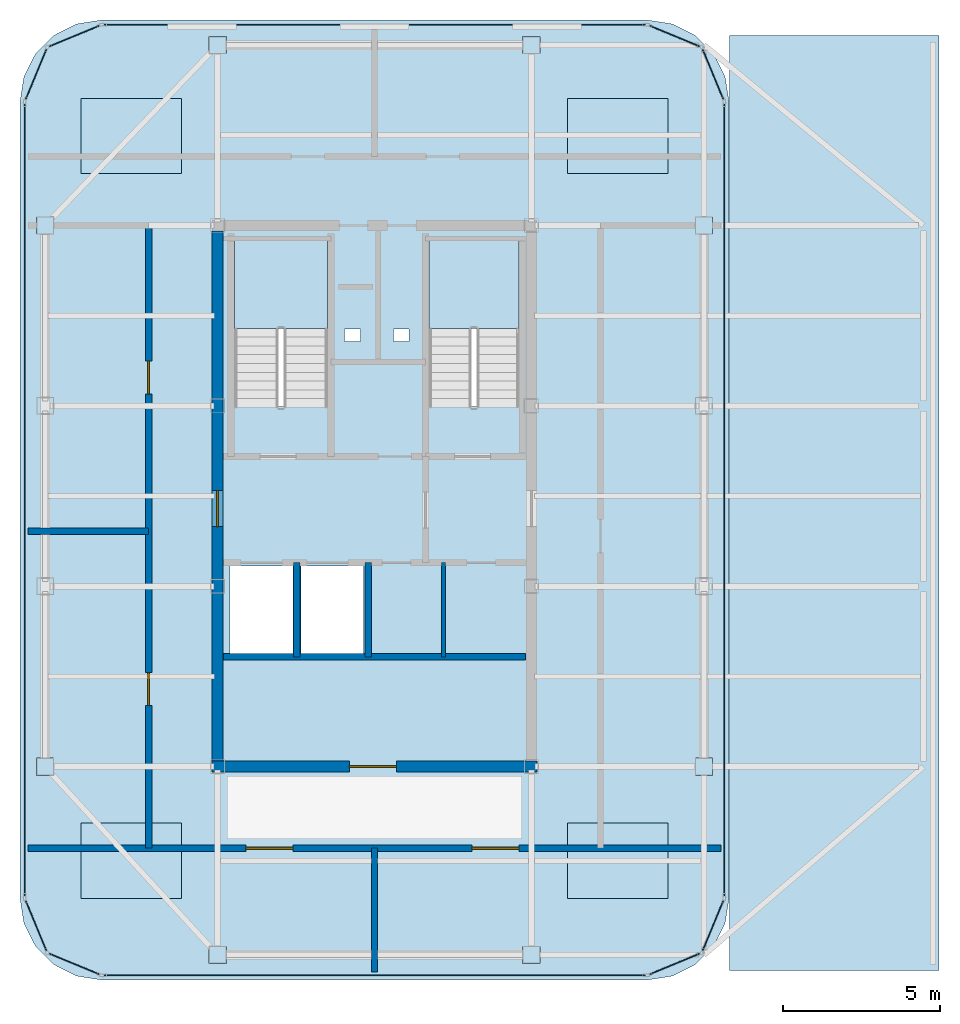
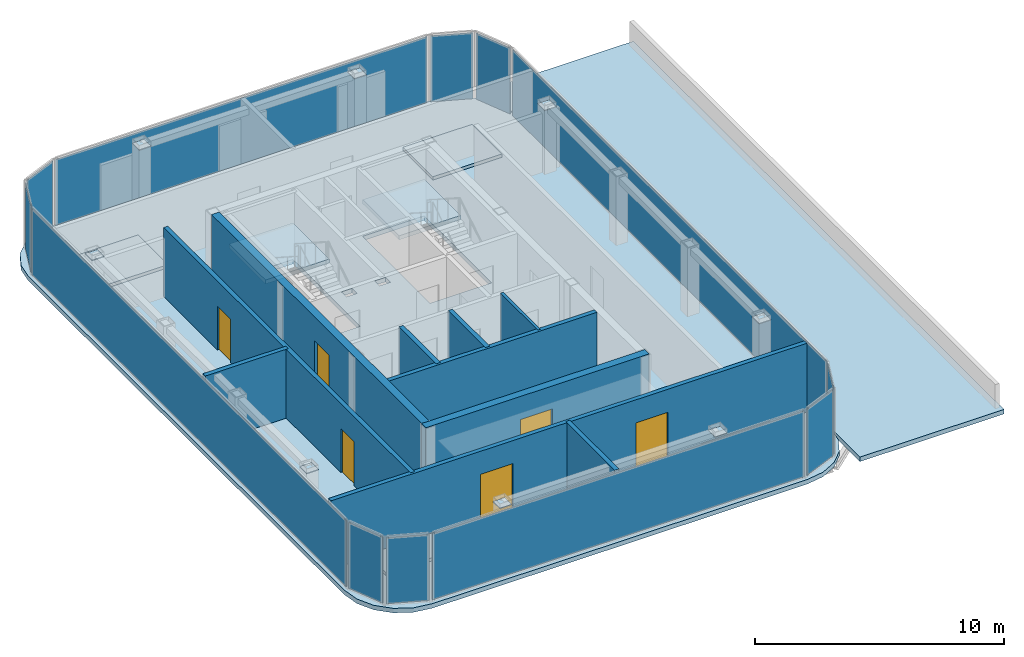
# One storey, part 9 of 11: 20 plates, 10 walls, 8 slabs, 6 doors, 6 openings, 14 elements without a shape of their own.
"""IFC4 building model written with IfcOpenShell, lengths in metres."""

import ifcopenshell
import ifcopenshell.guid

model = None  # the IFC model being written
_history = None  # IfcOwnerHistory: only IFC2X3 demands one
_inside = {}  # id of a spatial element -> (the spatial element, [elements in it])
_under = {}  # id of a project, library or spatial element -> (it, [spatial elements below it])
_declared = {}  # id of a project -> (the project, [libraries it declares])
_typed = {}  # id of a type object -> (the type object, [elements of that type])
_made_of = {}  # id of a material, layer set ... -> (it, [elements and type objects made of it])


def new_model(schema):
    """Start an empty IFC model of exactly this schema.

    Asked for "IFC4X3", IfcOpenShell would pick the latest addendum, in which some entities
    have other attributes; the version numbers below select the first issue.
    IFC2X3 requires an IfcOwnerHistory on every rooted entity: one is made here for all.
    """
    global model, _history
    if schema == "IFC4X3":
        model = ifcopenshell.file(schema_version=(4, 3, 0, 0))
    else:
        model = ifcopenshell.file(schema=schema)
    _inside.clear()
    _under.clear()
    _declared.clear()
    _typed.clear()
    _made_of.clear()
    _history = None
    if model.schema == "IFC2X3":
        org = make("IfcOrganization", Name="unknown")
        user = make(
            "IfcPersonAndOrganization",
            ThePerson=make("IfcPerson", FamilyName="unknown"),
            TheOrganization=org,
        )
        app = make(
            "IfcApplication",
            ApplicationDeveloper=org,
            Version="unknown",
            ApplicationFullName="unknown",
            ApplicationIdentifier="unknown",
        )
        _history = make(
            "IfcOwnerHistory",
            OwningUser=user,
            OwningApplication=app,
            ChangeAction="ADDED",
            CreationDate=0,
        )
    return model


def make(cls, **values):
    """One entity of the class cls with the attributes given. An attribute that is None is left unset."""
    return model.create_entity(
        cls, **{name: value for name, value in values.items() if value is not None}
    )


def rooted(cls, **values):
    """An entity with a GlobalId (a new one), such as an element, a storey or a relation."""
    return make(cls, GlobalId=ifcopenshell.guid.new(), OwnerHistory=_history, **values)


def si_unit(unit_type, name, prefix=None):
    """IfcSIUnit, for example si_unit("LENGTHUNIT", "METRE", prefix="MILLI")."""
    return make("IfcSIUnit", UnitType=unit_type, Prefix=prefix, Name=name)


def assignment(units):
    """IfcUnitAssignment: the units of a project."""
    return None if units is None else make("IfcUnitAssignment", Units=units)


def point(xyz):
    """IfcCartesianPoint."""
    return None if xyz is None else make("IfcCartesianPoint", Coordinates=xyz)


def direction(xyz):
    """IfcDirection."""
    return None if xyz is None else make("IfcDirection", DirectionRatios=xyz)


def frame(location, z_axis=None, x_axis=None):
    """IfcAxis2Placement3D, a coordinate frame: its origin and axes. An axis left out is left unset."""
    return make(
        "IfcAxis2Placement3D",
        Location=point(location),
        Axis=direction(z_axis),
        RefDirection=direction(x_axis),
    )


def frame_2d(location, x_axis=None):
    """IfcAxis2Placement2D, a coordinate frame in the plane: its origin and x axis."""
    return make(
        "IfcAxis2Placement2D", Location=point(location), RefDirection=direction(x_axis)
    )


def origin():
    """The frame at (0, 0, 0) with its axes left unset."""
    return frame((0.0, 0.0, 0.0))


def origin_2d():
    """The frame at (0, 0) in the plane with its x axis left unset."""
    return frame_2d((0.0, 0.0))


def place(relative_to, where):
    """IfcLocalPlacement: puts the frame where relative to a parent placement (None: the world)."""
    return make(
        "IfcLocalPlacement", PlacementRelTo=relative_to, RelativePlacement=where
    )


def context(
    kind, dimensions, precision=None, world=None, true_north=None, identifier=None
):
    """IfcGeometricRepresentationContext, for example the 3D "Model" context."""
    return make(
        "IfcGeometricRepresentationContext",
        ContextIdentifier=identifier,
        ContextType=kind,
        CoordinateSpaceDimension=dimensions,
        Precision=precision,
        WorldCoordinateSystem=world,
        TrueNorth=true_north,
    )


def subcontext(parent, identifier, kind, view, scale=None):
    """IfcGeometricRepresentationSubContext, for example "Body" below "Model"."""
    return make(
        "IfcGeometricRepresentationSubContext",
        ContextIdentifier=identifier,
        ContextType=kind,
        ParentContext=parent,
        TargetScale=scale,
        TargetView=view,
    )


def project(units=None, contexts=None):
    """IfcProject with its units and contexts."""
    return rooted(
        "IfcProject",
        Name="project",
        RepresentationContexts=contexts,
        UnitsInContext=assignment(units),
    )


def spatial(cls, under=None, at=None, **own):
    """A site, building, storey or space (cls), placed at a placement, below another one or the project."""
    s = rooted(cls, ObjectPlacement=at, **own)
    if under is not None:
        _under.setdefault(under.id(), (under, []))[1].append(s)
    return s


def polyline(points):
    """IfcPolyline through the points."""
    return make("IfcPolyline", Points=[point(p) for p in points])


def profile(cls, at=None, kind="AREA", **sizes):
    """A parametric profile (cls). Its sizes go by their IFC names, for example OverallWidth=200.0."""
    return make(cls, ProfileType=kind, Position=at, **sizes)


def rectangle(**sizes):
    """IfcRectangleProfileDef."""
    return profile("IfcRectangleProfileDef", **sizes)


def outline(outer, holes=None, kind="AREA"):
    """IfcArbitraryClosedProfileDef: a profile drawn as a closed curve; with holes, ...WithVoids."""
    if holes is None:
        return make("IfcArbitraryClosedProfileDef", ProfileType=kind, OuterCurve=outer)
    return make(
        "IfcArbitraryProfileDefWithVoids",
        ProfileType=kind,
        OuterCurve=outer,
        InnerCurves=holes,
    )


def extrude(swept, where, along, depth):
    """IfcExtrudedAreaSolid: the profile swept, set in the frame where, extruded along a direction by depth."""
    return make(
        "IfcExtrudedAreaSolid",
        SweptArea=swept,
        Position=where,
        ExtrudedDirection=direction(along),
        Depth=depth,
    )


def shape(context_of_items, identifier, shape_type, items):
    """IfcShapeRepresentation: the items that make up one representation, for example the "Body"."""
    return make(
        "IfcShapeRepresentation",
        ContextOfItems=context_of_items,
        RepresentationIdentifier=identifier,
        RepresentationType=shape_type,
        Items=items,
    )


def source(mapping_origin, context_of_items, identifier, shape_type, items):
    """IfcRepresentationMap: a shape defined once, which mapped items show again and again."""
    return make(
        "IfcRepresentationMap",
        MappingOrigin=mapping_origin,
        MappedRepresentation=shape(context_of_items, identifier, shape_type, items),
    )


def transform(
    local_origin,
    x_axis=None,
    y_axis=None,
    z_axis=None,
    scale=None,
    scale2=None,
    scale3=None,
    uniform=True,
):
    """IfcCartesianTransformationOperator3D, or its non-uniform kind. x_axis, y_axis, z_axis: its Axis1, 2, 3."""
    if uniform:
        return make(
            "IfcCartesianTransformationOperator3D",
            Axis1=direction(x_axis),
            Axis2=direction(y_axis),
            LocalOrigin=point(local_origin),
            Scale=scale,
            Axis3=direction(z_axis),
        )
    return make(
        "IfcCartesianTransformationOperator3DnonUniform",
        Axis1=direction(x_axis),
        Axis2=direction(y_axis),
        LocalOrigin=point(local_origin),
        Scale=scale,
        Axis3=direction(z_axis),
        Scale2=scale2,
        Scale3=scale3,
    )


def mapped(mapping_source, mapping_target):
    """IfcMappedItem: shows the shape of a source again, moved by a transform."""
    return make(
        "IfcMappedItem", MappingSource=mapping_source, MappingTarget=mapping_target
    )


def material(Name=None, Category=None):
    """IfcMaterial."""
    return make("IfcMaterial", Name=Name, Category=Category)


def layer(
    of_material, thickness, ventilated=None, Name=None, Category=None, Priority=None
):
    """IfcMaterialLayer: one layer of a wall or slab, of a material (None: an air gap)."""
    return make(
        "IfcMaterialLayer",
        Material=of_material,
        LayerThickness=thickness,
        IsVentilated=ventilated,
        Name=Name,
        Category=Category,
        Priority=Priority,
    )


def layer_set(layers, Name=None):
    """IfcMaterialLayerSet."""
    return make("IfcMaterialLayerSet", MaterialLayers=layers, LayerSetName=Name)


def made_of(thing, what):
    """Note that an element or type object is made of a material, layer set ...; save() writes the relation."""
    if what is not None:
        _made_of.setdefault(what.id(), (what, []))[1].append(thing)
    return thing


def type_object(cls, material=None, **own):
    """A type object (cls), such as IfcWallType, which elements share."""
    return made_of(rooted(cls, **own), material)


def element(
    cls,
    number,
    at=None,
    inside=None,
    cuts=None,
    type_object=None,
    material=None,
    context=None,
    identifier="Body",
    shape_type=None,
    held_by="IfcProductDefinitionShape",
    body=None,
    shapes=None,
    **own,
):
    """One element of the class cls, such as IfcWall. Its Tag is "e" and its number.

    at: its placement. inside: the storey or other place that contains it. cuts: it is an
    opening in that element (IfcRelVoidsElement). A single representation is given by context,
    identifier, shape_type and body (its items); several are given by shapes. held_by: the class
    of the entity that holds the representations. save() writes the other relations.
    """
    e = rooted(cls, Tag="e%d" % number, ObjectPlacement=at, **own)
    if body is not None:
        shapes = [shape(context, identifier, shape_type, body)]
    if shapes is not None:
        e.Representation = make(held_by, Representations=shapes)
    if inside is not None:
        _inside.setdefault(inside.id(), (inside, []))[1].append(e)
    if cuts is not None:
        rooted(
            "IfcRelVoidsElement", RelatingBuildingElement=cuts, RelatedOpeningElement=e
        )
    if type_object is not None:
        _typed.setdefault(type_object.id(), (type_object, []))[1].append(e)
    return made_of(e, material)


def fill(opening, filler):
    """IfcRelFillsElement: the door or window that sits in an opening."""
    return rooted(
        "IfcRelFillsElement",
        RelatingOpeningElement=opening,
        RelatedBuildingElement=filler,
    )


def aggregate(whole, parts):
    """IfcRelAggregates: a whole, such as a stair, and the parts it consists of."""
    return rooted("IfcRelAggregates", RelatingObject=whole, RelatedObjects=parts)


def save(model, path):
    """Write the relations noted so far, then the file.

    IfcRelAggregates (storeys below a building ...), IfcRelContainedInSpatialStructure (elements
    in a storey), IfcRelDefinesByType, IfcRelAssociatesMaterial and IfcRelDeclares: one each for
    every whole, place, type object, material and project.
    """
    for whole, parts in _under.values():
        aggregate(whole, parts)
    for where, things in _inside.values():
        rooted(
            "IfcRelContainedInSpatialStructure",
            RelatedElements=things,
            RelatingStructure=where,
        )
    for kind, things in _typed.values():
        rooted("IfcRelDefinesByType", RelatedObjects=things, RelatingType=kind)
    for what, things in _made_of.values():
        rooted("IfcRelAssociatesMaterial", RelatedObjects=things, RelatingMaterial=what)
    for by, libraries in _declared.values():
        rooted("IfcRelDeclares", RelatingContext=by, RelatedDefinitions=libraries)
    model.write(path)


model = new_model("IFC4")

# Units and contexts
model_context = context("Model", 3, precision=1e-05, world=origin(), true_north=direction((0.0, 1.0)))
body_context = subcontext(model_context, "Body", "Model", "MODEL_VIEW")
ifc_project = project(units=[si_unit("LENGTHUNIT", "METRE"), si_unit("AREAUNIT", "SQUARE_METRE"), si_unit("VOLUMEUNIT", "CUBIC_METRE"), si_unit("PLANEANGLEUNIT", "RADIAN"), si_unit("MASSUNIT", "GRAM", prefix="KILO")], contexts=[model_context])

# Site, building, storey
site_placement = place(None, origin())
site = spatial("IfcSite", under=ifc_project, at=site_placement, CompositionType="ELEMENT")
building_placement = place(site_placement, origin())
building = spatial("IfcBuilding", under=site, at=building_placement, Name="Kolveth Station Tower", CompositionType="ELEMENT")
storey_placement = place(building_placement, frame((0.0, 0.0, 285.699951171875)))
storey = spatial("IfcBuildingStorey", under=building, at=storey_placement, Name="L82", CompositionType="ELEMENT", Elevation=285.699951171875)

# Slab
ifc_material_1 = material(Name="Concrete C40/50", Category="concrete")
ifc_layer_1 = layer(ifc_material_1, 0.219970703125)
ifc_layer_set_1 = layer_set([ifc_layer_1], Name="Concrete C40/50")
slab_type_1 = type_object("IfcSlabType", Name="Slab_SF-220", PredefinedType="FLOOR", material=ifc_layer_set_1)
slab_1_placement = place(storey_placement, frame((0.0, 0.0, -0.219970703125)))
element("IfcSlab", 1, at=slab_1_placement, inside=storey, type_object=slab_type_1, Name="L82 Tower Structural Floor Slab", PredefinedType="FLOOR", context=body_context, shape_type="SweptSolid", body=[
    extrude(outline(polyline([(32.199951171875, 4.699951171875), (33.00341796875, 4.827392578125), (33.728271484375, 5.196533203125), (34.303466796875, 5.771728515625), (34.672607421875, 6.49658203125), (34.800048828125, 7.300048828125), (34.800048828125, 32.699951171875), (34.672607421875, 33.50341796875), (34.303466796875, 34.228271484375), (33.728271484375, 34.803466796875), (33.00341796875, 35.172607421875), (32.199951171875, 35.300048828125), (14.800048828125, 35.300048828125), (13.99658203125, 35.172607421875), (13.271728515625, 34.803466796875), (12.696533203125, 34.228271484375), (12.327392578125, 33.50341796875), (12.199951171875, 32.699951171875), (12.199951171875, 7.300048828125), (12.327392578125, 6.49658203125), (12.696533203125, 5.771728515625), (13.271728515625, 5.196533203125), (13.99658203125, 4.827392578125), (14.800048828125, 4.699951171875), (32.199951171875, 4.699951171875)]), holes=[polyline([(19.0400390625, 22.985107421875), (22.0, 22.985107421875), (22.0, 28.39990234375), (19.0400390625, 28.39990234375), (19.0400390625, 22.985107421875)]), polyline([(25.239990234375, 22.985107421875), (28.10009765625, 22.985107421875), (28.10009765625, 28.39990234375), (25.239990234375, 28.39990234375), (25.239990234375, 22.985107421875)]), polyline([(18.89990234375, 15.10009765625), (20.89990234375, 15.10009765625), (20.89990234375, 17.89990234375), (18.89990234375, 17.89990234375), (18.89990234375, 15.10009765625)]), polyline([(21.14990234375, 15.10009765625), (23.14990234375, 15.10009765625), (23.14990234375, 17.89990234375), (21.14990234375, 17.89990234375), (21.14990234375, 15.10009765625)]), polyline([(22.550048828125, 25.050048828125), (23.050048828125, 25.050048828125), (23.050048828125, 25.449951171875), (22.550048828125, 25.449951171875), (22.550048828125, 25.050048828125)]), polyline([(24.10009765625, 25.050048828125), (24.60009765625, 25.050048828125), (24.60009765625, 25.449951171875), (24.10009765625, 25.449951171875), (24.10009765625, 25.050048828125)])]), origin(), (0.0, 0.0, 1.0), 0.219970703125),
])

# Stair, slab
stair_type_1 = type_object("IfcStairType", Name="Stair_ST2", PredefinedType="HALF_TURN_STAIR", material=ifc_material_1)
stair_1_placement = place(storey_placement, origin())
stair_1 = element("IfcStair", 2, at=stair_1_placement, inside=storey, type_object=stair_type_1, Name="L82 Tower Exit Stair ST2", PredefinedType="HALF_TURN_STAIR")
ifc_layer_2 = layer(ifc_material_1, 0.18994140625)
ifc_layer_set_2 = layer_set([ifc_layer_2], Name="Concrete C40/50")
slab_type_2 = type_object("IfcSlabType", Name="Slab_SL-190", PredefinedType="LANDING", material=ifc_layer_set_2)
slab_2_placement = place(storey_placement, frame((0.0, 0.0, 1.60009765625)))
slab_2 = element("IfcSlab", 3, at=slab_2_placement, type_object=slab_type_2, Name="ST2 landing 1", PredefinedType="LANDING", context=body_context, shape_type="SweptSolid", body=[
    extrude(outline(polyline([(28.10009765625, 25.469970703125), (28.10009765625, 28.39990234375), (25.239990234375, 28.39990234375), (25.239990234375, 25.469970703125), (28.10009765625, 25.469970703125)])), origin(), (0.0, 0.0, 1.0), 0.199951171875),
])
aggregate(stair_1, [slab_2])

stair_type_2 = type_object("IfcStairType", Name="Stair_ST1", PredefinedType="HALF_TURN_STAIR", material=ifc_material_1)
stair_2_placement = place(storey_placement, origin())
stair_2 = element("IfcStair", 4, at=stair_2_placement, inside=storey, type_object=stair_type_2, Name="L82 Tower Exit Stair ST1", PredefinedType="HALF_TURN_STAIR")
ifc_layer_3 = layer(ifc_material_1, 0.205078125)
ifc_layer_set_3 = layer_set([ifc_layer_3], Name="Concrete C40/50")
slab_type_3 = type_object("IfcSlabType", Name="Slab_SL-205", PredefinedType="LANDING", material=ifc_layer_set_3)
slab_3_placement = place(storey_placement, frame((0.0, 0.0, 1.60009765625)))
slab_3 = element("IfcSlab", 5, at=slab_3_placement, type_object=slab_type_3, Name="ST1 landing 1", PredefinedType="LANDING", context=body_context, shape_type="SweptSolid", body=[
    extrude(outline(polyline([(22.0, 25.469970703125), (22.0, 28.39990234375), (19.0400390625, 28.39990234375), (19.0400390625, 25.469970703125), (22.0, 25.469970703125)])), origin(), (0.0, 0.0, 1.0), 0.199951171875),
])
aggregate(stair_2, [slab_3])

# Slab
ifc_layer_4 = layer(ifc_material_1, 0.219970703125)
ifc_layer_set_4 = layer_set([ifc_layer_4], Name="Concrete C40/50")
slab_type_4 = type_object("IfcSlabType", Name="Slab_SR-220", PredefinedType="ROOF", material=ifc_layer_set_4)
slab_4_placement = place(storey_placement, frame((0.0, 0.0, -0.219970703125)))
element("IfcSlab", 6, at=slab_4_placement, inside=storey, type_object=slab_type_4, Name="L82 Crown Step 3 Flat Roof Slab", PredefinedType="ROOF", context=body_context, shape_type="SweptSolid", body=[
    extrude(outline(polyline([(34.81005859375, 5.0), (41.5, 5.0), (41.5, 34.800048828125), (34.81005859375, 34.800048828125), (34.81005859375, 5.0)])), origin(), (0.0, 0.0, 1.0), 0.219970703125),
])

# Plates
ifc_material_2 = material(Name="Steel S355", Category="steel")
ifc_layer_5 = layer(ifc_material_2, 0.028076171875)
ifc_layer_set_5 = layer_set([ifc_layer_5], Name="Steel S355")
plate_type_1 = type_object("IfcPlateType", Name="Plate_CP1", PredefinedType="USERDEFINED", material=ifc_layer_set_5)
shared_shape_1 = source(origin(), body_context, "Body", "SweptSolid", [
    extrude(rectangle(XDim=0.550048828125, YDim=0.550048828125, at=origin_2d()), origin(), (0.0, 0.0, 1.0), 0.028076171875),
])
for number, where, z_axis, x_axis, name in (
    (7, (18.5, 5.5, 3.13623046875), (0.0, 0.0, 1.0), (1.0, 0.0, 0.0), "L82 Crown Chord End Plate 1"),
    (8, (28.5, 5.5, 3.13623046875), (0.0, 0.0, 1.0), (1.0, 0.0, 0.0), "L82 Crown Chord End Plate 2"),
    (9, (18.5, 34.5, 3.13623046875), (0.0, 0.0, 1.0), (1.0, 0.0, 0.0), "L82 Crown Chord End Plate 3"),
    (10, (28.5, 34.5, 3.13623046875), (0.0, 0.0, 1.0), (1.0, 0.0, 0.0), "L82 Crown Chord End Plate 4"),
    (11, (13.0, 11.5, 3.13623046875), (0.0, 0.0, 1.0), (1.0, 0.0, 0.0), "L82 Crown Chord End Plate 5"),
    (12, (13.0, 28.75, 3.13623046875), (0.0, 0.0, 1.0), (1.0, 0.0, 0.0), "L82 Crown Chord End Plate 6"),
    (13, (34.0, 11.5, 3.13623046875), (0.0, 0.0, 1.0), (1.0, 0.0, 0.0), "L82 Crown Chord End Plate 7"),
    (14, (34.0, 28.75, 3.13623046875), (0.0, 0.0, 1.0), (1.0, 0.0, 0.0), "L82 Crown Chord End Plate 8"),
):
    element("IfcPlate", number, at=place(storey_placement, frame(where, z_axis=z_axis, x_axis=x_axis)), inside=storey, type_object=plate_type_1, Name=name, ObjectType="GUSSET_PLATE", PredefinedType="USERDEFINED", context=body_context, shape_type="MappedRepresentation", body=[
        mapped(shared_shape_1, transform((0.0, 0.0, 0.0), x_axis=(1.0, 0.0, 0.0), y_axis=(0.0, 1.0, 0.0), z_axis=(0.0, 0.0, 1.0), scale=1.0)),
    ])

# Slabs
ifc_layer_6 = layer(ifc_material_1, 0.159912109375)
ifc_layer_set_6 = layer_set([ifc_layer_6], Name="Concrete C40/50")
slab_type_5 = type_object("IfcSlabType", Name="Slab_PL-160", PredefinedType="FLOOR", material=ifc_layer_set_6)
shared_shape_2 = source(origin(), body_context, "Body", "SweptSolid", [
    extrude(rectangle(XDim=3.199951171875, YDim=2.39990234375, at=origin_2d()), origin(), (0.0, 0.0, 1.0), 0.159912109375),
])
for number, where, z_axis, x_axis, name in (
    (15, (15.75, 8.5, 0.0), (0.0, 0.0, 1.0), (1.0, 0.0, 0.0), "L82 High-Altitude Plant Plinth 1"),
    (16, (31.25, 8.5, 0.0), (0.0, 0.0, 1.0), (1.0, 0.0, 0.0), "L82 High-Altitude Plant Plinth 2"),
    (17, (15.75, 31.60009765625, 0.0), (0.0, 0.0, 1.0), (1.0, 0.0, 0.0), "L82 High-Altitude Plant Plinth 3"),
    (18, (31.25, 31.60009765625, 0.0), (0.0, 0.0, 1.0), (1.0, 0.0, 0.0), "L82 High-Altitude Plant Plinth 4"),
):
    element("IfcSlab", number, at=place(storey_placement, frame(where, z_axis=z_axis, x_axis=x_axis)), inside=storey, type_object=slab_type_5, Name=name, PredefinedType="FLOOR", context=body_context, shape_type="MappedRepresentation", body=[
        mapped(shared_shape_2, transform((0.0, 0.0, 0.0), x_axis=(1.0, 0.0, 0.0), y_axis=(0.0, 1.0, 0.0), z_axis=(0.0, 0.0, 1.0), scale=1.0)),
    ])

# Curtain wall, plate
ifc_material_3 = material(Name="Black anodized aluminium 6063-T6 and dark crown glass", Category="aluminium")
ifc_layer_7 = layer(ifc_material_3, 0.169921875)
ifc_layer_set_7 = layer_set([ifc_layer_7], Name="Black anodized aluminium 6063-T6 and dark crown glass")
curtain_wall_type = type_object("IfcCurtainWallType", Name="CurtainWall_CW-CR", PredefinedType="NOTDEFINED", material=ifc_layer_set_7)
curtain_wall_1_placement = place(storey_placement, origin())
curtain_wall_1 = element("IfcCurtainWall", 19, at=curtain_wall_1_placement, inside=storey, type_object=curtain_wall_type, Name="L82 Stepped Crown Curtain Wall 1", PredefinedType="NOTDEFINED")
ifc_material_4 = material(Name="Architectural low-E dark glass", Category="glass")
ifc_layer_8 = layer(ifc_material_4, 0.033935546875)
ifc_layer_set_8 = layer_set([ifc_layer_8], Name="Architectural low-E dark glass")
plate_type_2 = type_object("IfcPlateType", Name="Panel_GL-CR", PredefinedType="CURTAIN_PANEL", material=ifc_layer_set_8)
shared_shape_3 = source(origin(), body_context, "Body", "SweptSolid", [
    extrude(rectangle(XDim=1.718994140625, YDim=0.033935546875, at=origin_2d()), origin(), (0.0, 0.0, 1.0), 3.23388671875),
])
plate_1_placement = place(storey_placement, frame((33.066162109375, 5.208740234375, 0.072998046875), z_axis=(0.0, 0.0, 1.0), x_axis=(0.923876435676, 0.382690908701, 0.0)))
plate_1 = element("IfcPlate", 20, at=plate_1_placement, type_object=plate_type_2, Name="CW-CR panel 1.1", PredefinedType="CURTAIN_PANEL", context=body_context, shape_type="MappedRepresentation", body=[
    mapped(shared_shape_3, transform((0.0, 0.0, 0.0), x_axis=(1.0, 0.0, 0.0), y_axis=(0.0, 1.0, 0.0), z_axis=(0.0, 0.0, 1.0), scale=1.0)),
])
aggregate(curtain_wall_1, [plate_1])

curtain_wall_2_placement = place(storey_placement, origin())
curtain_wall_2 = element("IfcCurtainWall", 21, at=curtain_wall_2_placement, inside=storey, type_object=curtain_wall_type, Name="L82 Stepped Crown Curtain Wall 2", PredefinedType="NOTDEFINED")
plate_2_placement = place(storey_placement, frame((34.291259765625, 6.433837890625, 0.072998046875), z_axis=(0.0, 0.0, 1.0), x_axis=(0.382690908701, 0.923876435676, 0.0)))
plate_2 = element("IfcPlate", 22, at=plate_2_placement, type_object=plate_type_2, Name="CW-CR panel 1.1", PredefinedType="CURTAIN_PANEL", context=body_context, shape_type="MappedRepresentation", body=[
    mapped(shared_shape_3, transform((0.0, 0.0, 0.0), x_axis=(1.0, 0.0, 0.0), y_axis=(0.0, 1.0, 0.0), z_axis=(0.0, 0.0, 1.0), scale=1.0)),
])
aggregate(curtain_wall_2, [plate_2])

curtain_wall_3_placement = place(storey_placement, origin())
curtain_wall_3 = element("IfcCurtainWall", 23, at=curtain_wall_3_placement, inside=storey, type_object=curtain_wall_type, Name="L82 Stepped Crown Curtain Wall 4", PredefinedType="NOTDEFINED")
plate_3_placement = place(storey_placement, frame((34.291259765625, 33.566162109375, 0.072998046875), z_axis=(0.0, 0.0, 1.0), x_axis=(-0.382690908701, 0.923876435676, 0.0)))
plate_3 = element("IfcPlate", 24, at=plate_3_placement, type_object=plate_type_2, Name="CW-CR panel 1.1", PredefinedType="CURTAIN_PANEL", context=body_context, shape_type="MappedRepresentation", body=[
    mapped(shared_shape_3, transform((0.0, 0.0, 0.0), x_axis=(1.0, 0.0, 0.0), y_axis=(0.0, 1.0, 0.0), z_axis=(0.0, 0.0, 1.0), scale=1.0)),
])
aggregate(curtain_wall_3, [plate_3])

curtain_wall_4_placement = place(storey_placement, origin())
curtain_wall_4 = element("IfcCurtainWall", 25, at=curtain_wall_4_placement, inside=storey, type_object=curtain_wall_type, Name="L82 Stepped Crown Curtain Wall 5", PredefinedType="NOTDEFINED")
plate_4_placement = place(storey_placement, frame((33.066162109375, 34.791259765625, 0.072998046875), z_axis=(0.0, 0.0, 1.0), x_axis=(-0.923876435676, 0.382690908701, 0.0)))
plate_4 = element("IfcPlate", 26, at=plate_4_placement, type_object=plate_type_2, Name="CW-CR panel 1.1", PredefinedType="CURTAIN_PANEL", context=body_context, shape_type="MappedRepresentation", body=[
    mapped(shared_shape_3, transform((0.0, 0.0, 0.0), x_axis=(1.0, 0.0, 0.0), y_axis=(0.0, 1.0, 0.0), z_axis=(0.0, 0.0, 1.0), scale=1.0)),
])
aggregate(curtain_wall_4, [plate_4])

curtain_wall_5_placement = place(storey_placement, origin())
curtain_wall_5 = element("IfcCurtainWall", 27, at=curtain_wall_5_placement, inside=storey, type_object=curtain_wall_type, Name="L82 Stepped Crown Curtain Wall 7", PredefinedType="NOTDEFINED")
plate_5_placement = place(storey_placement, frame((13.933837890625, 34.791259765625, 0.072998046875), z_axis=(0.0, 0.0, 1.0), x_axis=(-0.923876435676, -0.382690908701, 0.0)))
plate_5 = element("IfcPlate", 28, at=plate_5_placement, type_object=plate_type_2, Name="CW-CR panel 1.1", PredefinedType="CURTAIN_PANEL", context=body_context, shape_type="MappedRepresentation", body=[
    mapped(shared_shape_3, transform((0.0, 0.0, 0.0), x_axis=(1.0, 0.0, 0.0), y_axis=(0.0, 1.0, 0.0), z_axis=(0.0, 0.0, 1.0), scale=1.0)),
])
aggregate(curtain_wall_5, [plate_5])

curtain_wall_6_placement = place(storey_placement, origin())
curtain_wall_6 = element("IfcCurtainWall", 29, at=curtain_wall_6_placement, inside=storey, type_object=curtain_wall_type, Name="L82 Stepped Crown Curtain Wall 8", PredefinedType="NOTDEFINED")
plate_6_placement = place(storey_placement, frame((12.708740234375, 33.566162109375, 0.072998046875), z_axis=(0.0, 0.0, 1.0), x_axis=(-0.382690908701, -0.923876435676, 0.0)))
plate_6 = element("IfcPlate", 30, at=plate_6_placement, type_object=plate_type_2, Name="CW-CR panel 1.1", PredefinedType="CURTAIN_PANEL", context=body_context, shape_type="MappedRepresentation", body=[
    mapped(shared_shape_3, transform((0.0, 0.0, 0.0), x_axis=(1.0, 0.0, 0.0), y_axis=(0.0, 1.0, 0.0), z_axis=(0.0, 0.0, 1.0), scale=1.0)),
])
aggregate(curtain_wall_6, [plate_6])

curtain_wall_7_placement = place(storey_placement, origin())
curtain_wall_7 = element("IfcCurtainWall", 31, at=curtain_wall_7_placement, inside=storey, type_object=curtain_wall_type, Name="L82 Stepped Crown Curtain Wall 10", PredefinedType="NOTDEFINED")
plate_7_placement = place(storey_placement, frame((12.708740234375, 6.433837890625, 0.072998046875), z_axis=(0.0, 0.0, 1.0), x_axis=(0.382690908701, -0.923876435676, 0.0)))
plate_7 = element("IfcPlate", 32, at=plate_7_placement, type_object=plate_type_2, Name="CW-CR panel 1.1", PredefinedType="CURTAIN_PANEL", context=body_context, shape_type="MappedRepresentation", body=[
    mapped(shared_shape_3, transform((0.0, 0.0, 0.0), x_axis=(1.0, 0.0, 0.0), y_axis=(0.0, 1.0, 0.0), z_axis=(0.0, 0.0, 1.0), scale=1.0)),
])
aggregate(curtain_wall_7, [plate_7])

curtain_wall_8_placement = place(storey_placement, origin())
curtain_wall_8 = element("IfcCurtainWall", 33, at=curtain_wall_8_placement, inside=storey, type_object=curtain_wall_type, Name="L82 Stepped Crown Curtain Wall 11", PredefinedType="NOTDEFINED")
plate_8_placement = place(storey_placement, frame((13.933837890625, 5.208740234375, 0.072998046875), z_axis=(0.0, 0.0, 1.0), x_axis=(0.923876435676, -0.382690908701, 0.0)))
plate_8 = element("IfcPlate", 34, at=plate_8_placement, type_object=plate_type_2, Name="CW-CR panel 1.1", PredefinedType="CURTAIN_PANEL", context=body_context, shape_type="MappedRepresentation", body=[
    mapped(shared_shape_3, transform((0.0, 0.0, 0.0), x_axis=(1.0, 0.0, 0.0), y_axis=(0.0, 1.0, 0.0), z_axis=(0.0, 0.0, 1.0), scale=1.0)),
])
aggregate(curtain_wall_8, [plate_8])

curtain_wall_9_placement = place(storey_placement, origin())
curtain_wall_9 = element("IfcCurtainWall", 35, at=curtain_wall_9_placement, inside=storey, type_object=curtain_wall_type, Name="L82 Stepped Crown Curtain Wall 3", PredefinedType="NOTDEFINED")
shared_shape_4 = source(origin(), body_context, "Body", "SweptSolid", [
    extrude(rectangle(XDim=25.243896484375, YDim=0.033935546875, at=origin_2d()), origin(), (0.0, 0.0, 1.0), 3.23388671875),
])
plate_9_placement = place(storey_placement, frame((34.64990234375, 20.0, 0.072998046875), z_axis=(0.0, 0.0, 1.0), x_axis=(0.0, 1.0, 0.0)))
plate_9 = element("IfcPlate", 36, at=plate_9_placement, type_object=plate_type_2, Name="CW-CR panel 1.1", PredefinedType="CURTAIN_PANEL", context=body_context, shape_type="MappedRepresentation", body=[
    mapped(shared_shape_4, transform((0.0, 0.0, 0.0), x_axis=(1.0, 0.0, 0.0), y_axis=(0.0, 1.0, 0.0), z_axis=(0.0, 0.0, 1.0), scale=1.0)),
])
aggregate(curtain_wall_9, [plate_9])

curtain_wall_10_placement = place(storey_placement, origin())
curtain_wall_10 = element("IfcCurtainWall", 37, at=curtain_wall_10_placement, inside=storey, type_object=curtain_wall_type, Name="L82 Stepped Crown Curtain Wall 9", PredefinedType="NOTDEFINED")
plate_10_placement = place(storey_placement, frame((12.35009765625, 20.0, 0.072998046875), z_axis=(0.0, 0.0, 1.0), x_axis=(0.0, -1.0, 0.0)))
plate_10 = element("IfcPlate", 38, at=plate_10_placement, type_object=plate_type_2, Name="CW-CR panel 1.1", PredefinedType="CURTAIN_PANEL", context=body_context, shape_type="MappedRepresentation", body=[
    mapped(shared_shape_4, transform((0.0, 0.0, 0.0), x_axis=(1.0, 0.0, 0.0), y_axis=(0.0, 1.0, 0.0), z_axis=(0.0, 0.0, 1.0), scale=1.0)),
])
aggregate(curtain_wall_10, [plate_10])

curtain_wall_11_placement = place(storey_placement, origin())
curtain_wall_11 = element("IfcCurtainWall", 39, at=curtain_wall_11_placement, inside=storey, type_object=curtain_wall_type, Name="L82 Stepped Crown Curtain Wall 6", PredefinedType="NOTDEFINED")
shared_shape_5 = source(origin(), body_context, "Body", "SweptSolid", [
    extrude(rectangle(XDim=17.243896484375, YDim=0.033935546875, at=origin_2d()), origin(), (0.0, 0.0, 1.0), 3.23388671875),
])
plate_11_placement = place(storey_placement, frame((23.5, 35.14990234375, 0.072998046875), z_axis=(0.0, 0.0, 1.0), x_axis=(-1.0, 0.0, 0.0)))
plate_11 = element("IfcPlate", 40, at=plate_11_placement, type_object=plate_type_2, Name="CW-CR panel 1.1", PredefinedType="CURTAIN_PANEL", context=body_context, shape_type="MappedRepresentation", body=[
    mapped(shared_shape_5, transform((0.0, 0.0, 0.0), x_axis=(1.0, 0.0, 0.0), y_axis=(0.0, 1.0, 0.0), z_axis=(0.0, 0.0, 1.0), scale=1.0)),
])
aggregate(curtain_wall_11, [plate_11])

curtain_wall_12_placement = place(storey_placement, origin())
curtain_wall_12 = element("IfcCurtainWall", 41, at=curtain_wall_12_placement, inside=storey, type_object=curtain_wall_type, Name="L82 Stepped Crown Curtain Wall 12", PredefinedType="NOTDEFINED")
plate_12_placement = place(storey_placement, frame((23.5, 4.85009765625, 0.072998046875), z_axis=(0.0, 0.0, 1.0), x_axis=(1.0, 0.0, 0.0)))
plate_12 = element("IfcPlate", 42, at=plate_12_placement, type_object=plate_type_2, Name="CW-CR panel 1.1", PredefinedType="CURTAIN_PANEL", context=body_context, shape_type="MappedRepresentation", body=[
    mapped(shared_shape_5, transform((0.0, 0.0, 0.0), x_axis=(1.0, 0.0, 0.0), y_axis=(0.0, 1.0, 0.0), z_axis=(0.0, 0.0, 1.0), scale=1.0)),
])
aggregate(curtain_wall_12, [plate_12])

# Wall, opening, door
ifc_material_5 = material(Name="Concrete C50/60", Category="concrete")
ifc_layer_9 = layer(ifc_material_5, 0.35009765625)
ifc_layer_set_9 = layer_set([ifc_layer_9], Name="Concrete C50/60")
wall_type_1 = type_object("IfcWallType", Name="Wall_CW-350", PredefinedType="SHEAR", material=ifc_layer_set_9)
wall_1_placement = place(storey_placement, frame((18.324951171875, 11.5, 0.0), z_axis=(0.0, 0.0, 1.0), x_axis=(1.0, 0.0, 0.0)))
wall_1 = element("IfcWall", 43, at=wall_1_placement, inside=storey, type_object=wall_type_1, Name="L82 Core RC Shear Wall S", PredefinedType="SHEAR", context=body_context, shape_type="SweptSolid", body=[
    extrude(rectangle(XDim=10.35009765625, YDim=0.35009765625, at=frame_2d((5.175048828125, 0.0))), origin(), (0.0, 0.0, 1.0), 3.380126953125),
])
opening_1_placement = place(wall_1_placement, frame((4.375, 0.0, 0.0)))
opening_1 = element("IfcOpeningElement", 44, at=opening_1_placement, cuts=wall_1, Name="Opening FD4", PredefinedType="OPENING", context=body_context, shape_type="SweptSolid", body=[
    extrude(rectangle(XDim=1.5, YDim=2.25, at=frame_2d((0.75, 1.125))), frame((0.0, 0.18505859375, 0.0), z_axis=(0.0, -1.0, 0.0), x_axis=(1.0, 0.0, 0.0)), (0.0, 0.0, 1.0), 0.3701171875),
])
ifc_material_6 = material(Name="Fire-rated double Steel S355 leaf", Category="steel")
door_type_1 = type_object("IfcDoorType", Name="Door_FD4", OperationType="NOTDEFINED", PredefinedType="DOOR", material=ifc_material_6)
door_1_placement = place(opening_1_placement, frame((1.5, 0.0, 0.0), z_axis=(0.0, 0.0, 1.0), x_axis=(-1.0, 0.0, 0.0)))
door_1 = element("IfcDoor", 45, at=door_1_placement, inside=storey, type_object=door_type_1, Name="L82 Fan Plant Double Door", OperationType="DOUBLE_DOOR_SINGLE_SWING", OverallHeight=2.25, OverallWidth=1.5, PredefinedType="DOOR", context=body_context, shape_type="SweptSolid", body=[
    extrude(rectangle(XDim=1.5, YDim=2.25, at=frame_2d((0.75, 1.125))), frame((0.0, 0.02490234375, 0.0), z_axis=(0.0, -1.0, 0.0), x_axis=(1.0, 0.0, 0.0)), (0.0, 0.0, 1.0), 0.050048828125),
])
fill(opening_1, door_1)

wall_2_placement = place(storey_placement, frame((18.5, 11.675048828125, 0.0), z_axis=(0.0, 0.0, 1.0), x_axis=(0.0, 1.0, 0.0)))
wall_2 = element("IfcWall", 46, at=wall_2_placement, inside=storey, type_object=wall_type_1, Name="L82 Core RC Shear Wall W", PredefinedType="SHEAR", context=body_context, shape_type="SweptSolid", body=[
    extrude(rectangle(XDim=16.89990234375, YDim=0.35009765625, at=frame_2d((8.449951171875, 0.0))), origin(), (0.0, 0.0, 1.0), 3.380126953125),
])
opening_2_placement = place(wall_2_placement, frame((7.47509765625, 0.0, 0.0)))
opening_2 = element("IfcOpeningElement", 47, at=opening_2_placement, cuts=wall_2, Name="Opening FD1", PredefinedType="OPENING", context=body_context, shape_type="SweptSolid", body=[
    extrude(rectangle(XDim=1.14990234375, YDim=2.199951171875, at=frame_2d((0.574951171875, 1.10009765625))), frame((0.0, 0.18505859375, 0.0), z_axis=(0.0, -1.0, 0.0), x_axis=(1.0, 0.0, 0.0)), (0.0, 0.0, 1.0), 0.3701171875),
])
ifc_material_7 = material(Name="Fire-rated Steel S355 leaf and frame", Category="steel")
door_type_2 = type_object("IfcDoorType", Name="Door_FD1", OperationType="NOTDEFINED", PredefinedType="DOOR", material=ifc_material_7)
door_2_placement = place(opening_2_placement, frame((1.14990234375, 0.0, 0.0), z_axis=(0.0, 0.0, 1.0), x_axis=(-1.0, 0.0, 0.0)))
door_2 = element("IfcDoor", 48, at=door_2_placement, inside=storey, type_object=door_type_2, Name="L82 West Corridor to Firefighting Lobby Door", OperationType="SINGLE_SWING_RIGHT", OverallHeight=2.199951171875, OverallWidth=1.14990234375, PredefinedType="DOOR", context=body_context, shape_type="SweptSolid", body=[
    extrude(rectangle(XDim=1.14990234375, YDim=2.199951171875, at=frame_2d((0.574951171875, 1.10009765625))), frame((0.0, 0.02490234375, 0.0), z_axis=(0.0, -1.0, 0.0), x_axis=(1.0, 0.0, 0.0)), (0.0, 0.0, 1.0), 0.050048828125),
])
fill(opening_2, door_2)

# Walls
ifc_material_8 = material(Name="Moisture-resistant gypsum partition")
ifc_layer_10 = layer(ifc_material_8, 0.135009765625)
ifc_layer_set_10 = layer_set([ifc_layer_10], Name="Moisture-resistant gypsum partition")
wall_type_2 = type_object("IfcWallType", Name="Wall_IW-135", PredefinedType="PARTITIONING", material=ifc_layer_set_10)
wall_3_placement = place(storey_placement, frame((25.699951171875, 15.0, 0.0), z_axis=(0.0, 0.0, 1.0), x_axis=(0.0, 1.0, 0.0)))
element("IfcWall", 49, at=wall_3_placement, inside=storey, type_object=wall_type_2, Name="L82 Partition Wall WL-L82-CB-V1", PredefinedType="PARTITIONING", context=body_context, shape_type="SweptSolid", body=[
    extrude(rectangle(XDim=3.0, YDim=0.135009765625, at=frame_2d((1.5, 0.0))), origin(), (0.0, 0.0, 1.0), 3.380126953125),
])
ifc_material_9 = material(Name="Acoustic fire-rated gypsum blockwork", Category="masonry")
ifc_layer_11 = layer(ifc_material_9, 0.199951171875)
ifc_layer_set_11 = layer_set([ifc_layer_11], Name="Acoustic fire-rated gypsum blockwork")
wall_type_3 = type_object("IfcWallType", Name="Wall_IW-200", PredefinedType="PARTITIONING", material=ifc_layer_set_11)
for number, where, z_axis, x_axis, name in (
    (50, (21.02001953125, 15.0, 0.0), (0.0, 0.0, 1.0), (0.0, 1.0, 0.0), "L82 Partition Wall WL-L82-FF12"),
    (51, (23.300048828125, 15.0, 0.0), (0.0, 0.0, 1.0), (0.0, 1.0, 0.0), "L82 Partition Wall WL-L82-FF2E"),
):
    element("IfcWall", number, at=place(storey_placement, frame(where, z_axis=z_axis, x_axis=x_axis)), inside=storey, type_object=wall_type_3, Name=name, PredefinedType="PARTITIONING", context=body_context, shape_type="SweptSolid", body=[
        extrude(rectangle(XDim=3.0, YDim=0.199951171875, at=frame_2d((1.5, 0.0))), origin(), (0.0, 0.0, 1.0), 3.380126953125),
    ])
wall_4_placement = place(storey_placement, frame((18.68505859375, 15.0, 0.0), z_axis=(0.0, 0.0, 1.0), x_axis=(1.0, 0.0, 0.0)))
element("IfcWall", 52, at=wall_4_placement, inside=storey, type_object=wall_type_3, Name="L82 Partition Wall WL-L82-BOH-S", PredefinedType="PARTITIONING", context=body_context, shape_type="SweptSolid", body=[
    extrude(rectangle(XDim=9.6298828125, YDim=0.199951171875, at=frame_2d((4.81494140625, 0.0))), origin(), (0.0, 0.0, 1.0), 3.380126953125),
])

# Wall, openings, doors
wall_5_placement = place(storey_placement, frame((12.449951171875, 8.89990234375, 0.0), z_axis=(0.0, 0.0, 1.0), x_axis=(1.0, 0.0, 0.0)))
wall_5 = element("IfcWall", 53, at=wall_5_placement, inside=storey, type_object=wall_type_3, Name="L82 Partition Wall WL-L82-PR-S", PredefinedType="PARTITIONING", context=body_context, shape_type="SweptSolid", body=[
    extrude(rectangle(XDim=22.10009765625, YDim=0.199951171875, at=frame_2d((11.050048828125, 0.0))), origin(), (0.0, 0.0, 1.0), 3.380126953125),
])
opening_3_placement = place(wall_5_placement, frame((6.949951171875, 0.0, 0.0)))
opening_3 = element("IfcOpeningElement", 54, at=opening_3_placement, cuts=wall_5, Name="Opening FD4", PredefinedType="OPENING", context=body_context, shape_type="SweptSolid", body=[
    extrude(rectangle(XDim=1.5, YDim=2.25, at=frame_2d((0.75, 1.125))), frame((0.0, 0.10986328125, 0.0), z_axis=(0.0, -1.0, 0.0), x_axis=(1.0, 0.0, 0.0)), (0.0, 0.0, 1.0), 0.219970703125),
])
opening_4_placement = place(wall_5_placement, frame((14.14990234375, 0.0, 0.0)))
opening_4 = element("IfcOpeningElement", 55, at=opening_4_placement, cuts=wall_5, Name="Opening FD4", PredefinedType="OPENING", context=body_context, shape_type="SweptSolid", body=[
    extrude(rectangle(XDim=1.5, YDim=2.25, at=frame_2d((0.75, 1.125))), frame((0.0, 0.10986328125, 0.0), z_axis=(0.0, -1.0, 0.0), x_axis=(1.0, 0.0, 0.0)), (0.0, 0.0, 1.0), 0.219970703125),
])
door_3_placement = place(opening_3_placement, frame((1.5, 0.0, 0.0), z_axis=(0.0, 0.0, 1.0), x_axis=(-1.0, 0.0, 0.0)))
door_3 = element("IfcDoor", 56, at=door_3_placement, inside=storey, type_object=door_type_1, Name="L82 High-Altitude Chiller Plant Room Door", OperationType="SINGLE_SWING_LEFT", OverallHeight=2.25, OverallWidth=1.5, PredefinedType="DOOR", context=body_context, shape_type="SweptSolid", body=[
    extrude(rectangle(XDim=1.5, YDim=2.25, at=frame_2d((0.75, 1.125))), frame((0.0, 0.02490234375, 0.0), z_axis=(0.0, -1.0, 0.0), x_axis=(1.0, 0.0, 0.0)), (0.0, 0.0, 1.0), 0.050048828125),
])
fill(opening_3, door_3)
door_4_placement = place(opening_4_placement, frame((1.5, 0.0, 0.0), z_axis=(0.0, 0.0, 1.0), x_axis=(-1.0, 0.0, 0.0)))
door_4 = element("IfcDoor", 57, at=door_4_placement, inside=storey, type_object=door_type_1, Name="L82 Standby Generator Plant Room Door", OperationType="SINGLE_SWING_LEFT", OverallHeight=2.25, OverallWidth=1.5, PredefinedType="DOOR", context=body_context, shape_type="SweptSolid", body=[
    extrude(rectangle(XDim=1.5, YDim=2.25, at=frame_2d((0.75, 1.125))), frame((0.0, 0.02490234375, 0.0), z_axis=(0.0, -1.0, 0.0), x_axis=(1.0, 0.0, 0.0)), (0.0, 0.0, 1.0), 0.050048828125),
])
fill(opening_4, door_4)

wall_6_placement = place(storey_placement, frame((16.300048828125, 8.89990234375, 0.0), z_axis=(0.0, 0.0, 1.0), x_axis=(0.0, 1.0, 0.0)))
wall_6 = element("IfcWall", 58, at=wall_6_placement, inside=storey, type_object=wall_type_3, Name="L82 Partition Wall WL-L82-PR-W", PredefinedType="PARTITIONING", context=body_context, shape_type="SweptSolid", body=[
    extrude(rectangle(XDim=19.85009765625, YDim=0.199951171875, at=frame_2d((9.925048828125, 0.0))), origin(), (0.0, 0.0, 1.0), 3.380126953125),
])
opening_5_placement = place(wall_6_placement, frame((4.550048828125, 0.0, 0.0)))
opening_5 = element("IfcOpeningElement", 59, at=opening_5_placement, cuts=wall_6, Name="Opening FD2", PredefinedType="OPENING", context=body_context, shape_type="SweptSolid", body=[
    extrude(rectangle(XDim=1.050048828125, YDim=2.14990234375, at=frame_2d((0.52490234375, 1.074951171875))), frame((0.0, 0.10986328125, 0.0), z_axis=(0.0, -1.0, 0.0), x_axis=(1.0, 0.0, 0.0)), (0.0, 0.0, 1.0), 0.219970703125),
])
opening_6_placement = place(wall_6_placement, frame((14.47509765625, 0.0, 0.0)))
opening_6 = element("IfcOpeningElement", 60, at=opening_6_placement, cuts=wall_6, Name="Opening FD2", PredefinedType="OPENING", context=body_context, shape_type="SweptSolid", body=[
    extrude(rectangle(XDim=1.050048828125, YDim=2.14990234375, at=frame_2d((0.52490234375, 1.074951171875))), frame((0.0, 0.10986328125, 0.0), z_axis=(0.0, -1.0, 0.0), x_axis=(1.0, 0.0, 0.0)), (0.0, 0.0, 1.0), 0.219970703125),
])
door_type_3 = type_object("IfcDoorType", Name="Door_FD2", OperationType="NOTDEFINED", PredefinedType="DOOR", material=ifc_material_7)
door_5_placement = place(opening_5_placement, frame((1.050048828125, 0.0, 0.0), z_axis=(0.0, 0.0, 1.0), x_axis=(-1.0, 0.0, 0.0)))
door_5 = element("IfcDoor", 61, at=door_5_placement, inside=storey, type_object=door_type_3, Name="L82 Air Handling Plant Room Door", OperationType="SINGLE_SWING_RIGHT", OverallHeight=2.14990234375, OverallWidth=1.050048828125, PredefinedType="DOOR", context=body_context, shape_type="SweptSolid", body=[
    extrude(rectangle(XDim=1.050048828125, YDim=2.14990234375, at=frame_2d((0.52490234375, 1.074951171875))), frame((0.0, 0.02490234375, 0.0), z_axis=(0.0, -1.0, 0.0), x_axis=(1.0, 0.0, 0.0)), (0.0, 0.0, 1.0), 0.050048828125),
])
fill(opening_5, door_5)
door_6_placement = place(opening_6_placement, frame((1.050048828125, 0.0, 0.0), z_axis=(0.0, 0.0, 1.0), x_axis=(-1.0, 0.0, 0.0)))
door_6 = element("IfcDoor", 62, at=door_6_placement, inside=storey, type_object=door_type_3, Name="L82 Heat Recovery Plant Room Door", OperationType="SINGLE_SWING_LEFT", OverallHeight=2.14990234375, OverallWidth=1.050048828125, PredefinedType="DOOR", context=body_context, shape_type="SweptSolid", body=[
    extrude(rectangle(XDim=1.050048828125, YDim=2.14990234375, at=frame_2d((0.52490234375, 1.074951171875))), frame((0.0, 0.02490234375, 0.0), z_axis=(0.0, -1.0, 0.0), x_axis=(1.0, 0.0, 0.0)), (0.0, 0.0, 1.0), 0.050048828125),
])
fill(opening_6, door_6)

# Walls
wall_7_placement = place(storey_placement, frame((23.5, 4.949951171875, 0.0), z_axis=(0.0, 0.0, 1.0), x_axis=(0.0, 1.0, 0.0)))
element("IfcWall", 63, at=wall_7_placement, inside=storey, type_object=wall_type_3, Name="L82 Partition Wall WL-L82-CS-P1", PredefinedType="PARTITIONING", context=body_context, shape_type="SweptSolid", body=[
    extrude(rectangle(XDim=3.949951171875, YDim=0.199951171875, at=frame_2d((1.97509765625, 0.0))), origin(), (0.0, 0.0, 1.0), 3.380126953125),
])
wall_8_placement = place(storey_placement, frame((12.449951171875, 19.0, 0.0), z_axis=(0.0, 0.0, 1.0), x_axis=(1.0, 0.0, 0.0)))
element("IfcWall", 64, at=wall_8_placement, inside=storey, type_object=wall_type_3, Name="L82 Partition Wall WL-L82-CW-P1", PredefinedType="PARTITIONING", context=body_context, shape_type="SweptSolid", body=[
    extrude(rectangle(XDim=3.85009765625, YDim=0.199951171875, at=frame_2d((1.925048828125, 0.0))), origin(), (0.0, 0.0, 1.0), 3.380126953125),
])

save(model, "model.ifc")
